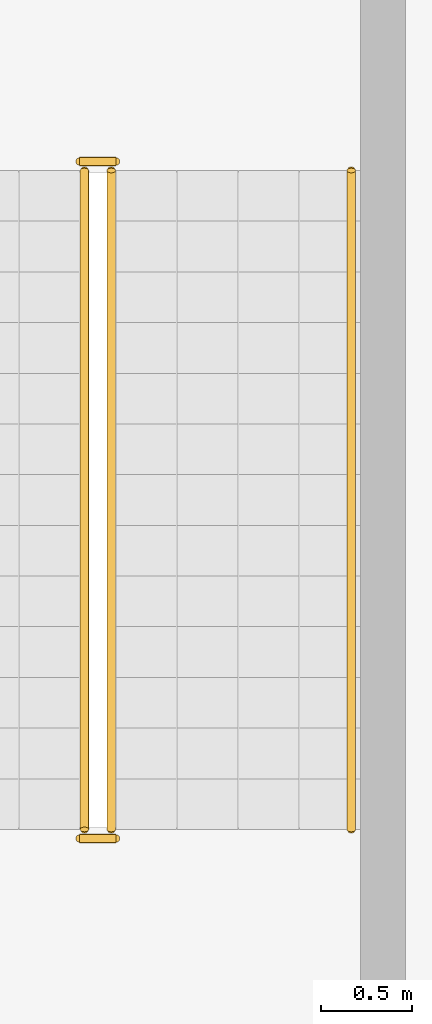
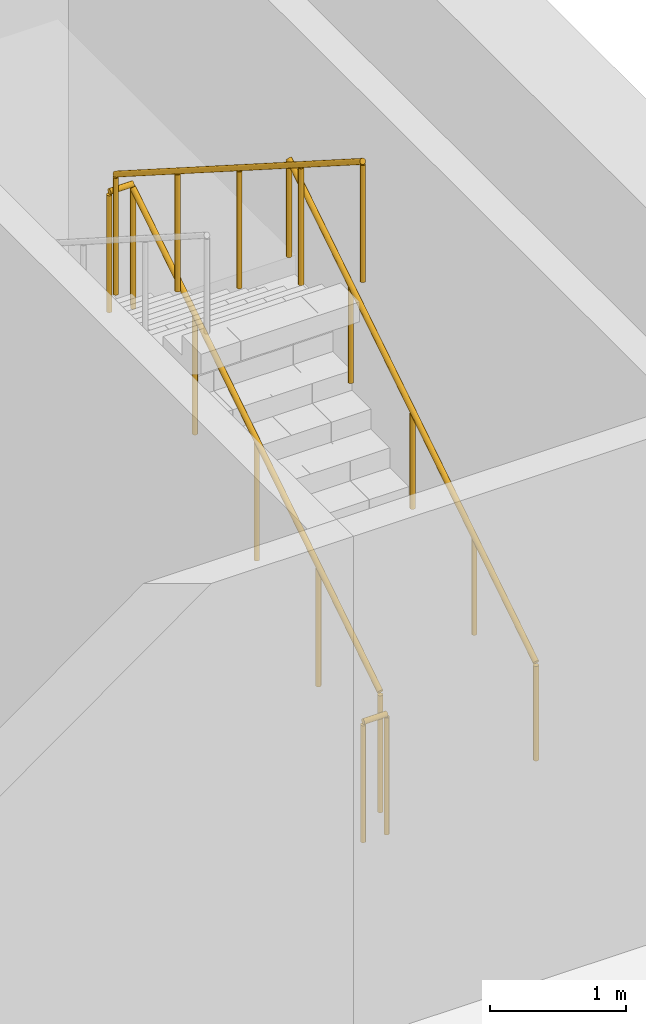
# One storey, part 17 of 17: 5 railings.
"""IFC4 building model written with IfcOpenShell, lengths in metres."""

from ifc_helpers import new_model, si_unit, direction, frame, origin, origin_2d, place, context, subcontext, project, spatial, circle, extrude, material, type_object, element, save


model = new_model("IFC4")

# Units and contexts
model_context = context("Model", 3, precision=1e-05, world=origin(), true_north=direction((0.0, 1.0)))
body_context = subcontext(model_context, "Body", "Model", "MODEL_VIEW")
ifc_project = project(units=[si_unit("LENGTHUNIT", "METRE"), si_unit("AREAUNIT", "SQUARE_METRE"), si_unit("VOLUMEUNIT", "CUBIC_METRE"), si_unit("PLANEANGLEUNIT", "RADIAN"), si_unit("MASSUNIT", "GRAM", prefix="KILO")], contexts=[model_context])

# Site, building, storey
site_placement = place(None, origin())
site = spatial("IfcSite", under=ifc_project, at=site_placement, CompositionType="ELEMENT")
building_placement = place(site_placement, origin())
building = spatial("IfcBuilding", under=site, at=building_placement, Name="Cantera Rosa Tower", CompositionType="ELEMENT")
storey_placement = place(building_placement, frame((0.0, 0.0, 32.0)))
storey = spatial("IfcBuildingStorey", under=building, at=storey_placement, Name="L05", CompositionType="ELEMENT", Elevation=32.0)

# Railings
ifc_material_1 = material(Name="Steel S355J2 (EN 10025-2)", Category="steel")
railing_type_1 = type_object("IfcRailingType", Name="STAIR GUARD 1100", PredefinedType="GUARDRAIL", material=ifc_material_1)
railing_1_placement = place(storey_placement, frame((30.799072265625, 21.125, 0.178466796875)))
element("IfcRailing", 1, at=railing_1_placement, inside=storey, type_object=railing_type_1, Name="L05 ST-NE stair guard 1", PredefinedType="GUARDRAIL", context=body_context, shape_type="SweptSolid", body=[
    extrude(circle(Radius=0.02392578125, at=origin_2d()), frame((0.0, 0.0, 1.076171875), z_axis=(0.0, 0.843111507901, 0.53773877045), x_axis=(-1.0, 0.0, 0.0)), (0.0, 0.0, 1.0), 4.317138671875),
    extrude(circle(Radius=0.02099609375, at=origin_2d()), origin(), (0.0, 0.0, 1.0), 1.052001953125),
    extrude(circle(Radius=0.02099609375, at=origin_2d()), frame((0.0, 0.909912109375, 0.580322265625)), (0.0, 0.0, 1.0), 1.052001953125),
    extrude(circle(Radius=0.02099609375, at=origin_2d()), frame((0.0, 1.81982421875, 1.16064453125)), (0.0, 0.0, 1.0), 1.052001953125),
    extrude(circle(Radius=0.02099609375, at=origin_2d()), frame((0.0, 2.72998046875, 1.7412109375)), (0.0, 0.0, 1.0), 1.052001953125),
    extrude(circle(Radius=0.02099609375, at=origin_2d()), frame((0.0, 3.639892578125, 2.321533203125)), (0.0, 0.0, 1.0), 1.052001953125),
])
railing_2_placement = place(storey_placement, frame((30.824951171875, 24.81494140625, 2.5)))
element("IfcRailing", 2, at=railing_2_placement, inside=storey, type_object=railing_type_1, Name="L05 ST-NE stair guard 2", PredefinedType="GUARDRAIL", context=body_context, shape_type="SweptSolid", body=[
    extrude(circle(Radius=0.02392578125, at=origin_2d()), frame((0.0, 0.0, 1.076171875), z_axis=(-1.0, 0.0, 0.0), x_axis=(0.0, -1.0, 0.0)), (0.0, 0.0, 1.0), 0.199951171875),
    extrude(circle(Radius=0.02099609375, at=origin_2d()), origin(), (0.0, 0.0, 1.0), 1.052001953125),
    extrude(circle(Radius=0.02099609375, at=origin_2d()), frame((-0.199951171875, 0.0, 0.0)), (0.0, 0.0, 1.0), 1.052001953125),
])
railing_3_placement = place(storey_placement, frame((30.65087890625, 24.764892578125, 2.678466796875)))
element("IfcRailing", 3, at=railing_3_placement, inside=storey, type_object=railing_type_1, Name="L05 ST-NE stair guard 3", PredefinedType="GUARDRAIL", context=body_context, shape_type="SweptSolid", body=[
    extrude(circle(Radius=0.02392578125, at=origin_2d()), frame((0.0, 0.0, 1.076171875), z_axis=(0.0, -0.843111507901, 0.53773877045), x_axis=(1.0, 0.0, 0.0)), (0.0, 0.0, 1.0), 4.317138671875),
    extrude(circle(Radius=0.02099609375, at=origin_2d()), origin(), (0.0, 0.0, 1.0), 1.052001953125),
    extrude(circle(Radius=0.02099609375, at=origin_2d()), frame((0.0, -0.909912109375, 0.580322265625)), (0.0, 0.0, 1.0), 1.052001953125),
    extrude(circle(Radius=0.02099609375, at=origin_2d()), frame((0.0, -1.81982421875, 1.16064453125)), (0.0, 0.0, 1.0), 1.052001953125),
    extrude(circle(Radius=0.02099609375, at=origin_2d()), frame((0.0, -2.72998046875, 1.7412109375)), (0.0, 0.0, 1.0), 1.052001953125),
    extrude(circle(Radius=0.02099609375, at=origin_2d()), frame((0.0, -3.639892578125, 2.321533203125)), (0.0, 0.0, 1.0), 1.052001953125),
])
railing_4_placement = place(storey_placement, frame((30.824951171875, 21.074951171875, 0.0)))
element("IfcRailing", 4, at=railing_4_placement, inside=storey, type_object=railing_type_1, Name="L05 ST-NE stair guard 4", PredefinedType="GUARDRAIL", context=body_context, shape_type="SweptSolid", body=[
    extrude(circle(Radius=0.02392578125, at=origin_2d()), frame((0.0, 0.0, 1.076171875), z_axis=(-1.0, 0.0, 0.0), x_axis=(0.0, -1.0, 0.0)), (0.0, 0.0, 1.0), 0.199951171875),
    extrude(circle(Radius=0.02099609375, at=origin_2d()), origin(), (0.0, 0.0, 1.0), 1.052001953125),
    extrude(circle(Radius=0.02099609375, at=origin_2d()), frame((-0.199951171875, 0.0, 0.0)), (0.0, 0.0, 1.0), 1.052001953125),
])
ifc_material_2 = material(Name="Steel S355J2 (EN 10025-2)", Category="steel")
railing_type_2 = type_object("IfcRailingType", Name="STAIR HANDRAIL 900", PredefinedType="HANDRAIL", material=ifc_material_2)
railing_5_placement = place(storey_placement, frame((32.125, 21.125, 0.178466796875)))
element("IfcRailing", 5, at=railing_5_placement, inside=storey, type_object=railing_type_2, Name="L05 ST-NE stair handrail 1", PredefinedType="HANDRAIL", context=body_context, shape_type="SweptSolid", body=[
    extrude(circle(Radius=0.02392578125, at=origin_2d()), frame((0.0, 0.0, 0.8759765625), z_axis=(0.0, 0.843111507901, 0.53773877045), x_axis=(-1.0, 0.0, 0.0)), (0.0, 0.0, 1.0), 4.317138671875),
    extrude(circle(Radius=0.02099609375, at=origin_2d()), origin(), (0.0, 0.0, 1.0), 0.851806640625),
    extrude(circle(Radius=0.02099609375, at=origin_2d()), frame((0.0, 0.909912109375, 0.580322265625)), (0.0, 0.0, 1.0), 0.851806640625),
    extrude(circle(Radius=0.02099609375, at=origin_2d()), frame((0.0, 1.81982421875, 1.16064453125)), (0.0, 0.0, 1.0), 0.851806640625),
    extrude(circle(Radius=0.02099609375, at=origin_2d()), frame((0.0, 2.72998046875, 1.7412109375)), (0.0, 0.0, 1.0), 0.851806640625),
    extrude(circle(Radius=0.02099609375, at=origin_2d()), frame((0.0, 3.639892578125, 2.321533203125)), (0.0, 0.0, 1.0), 0.851806640625),
])

save(model, "model.ifc")
